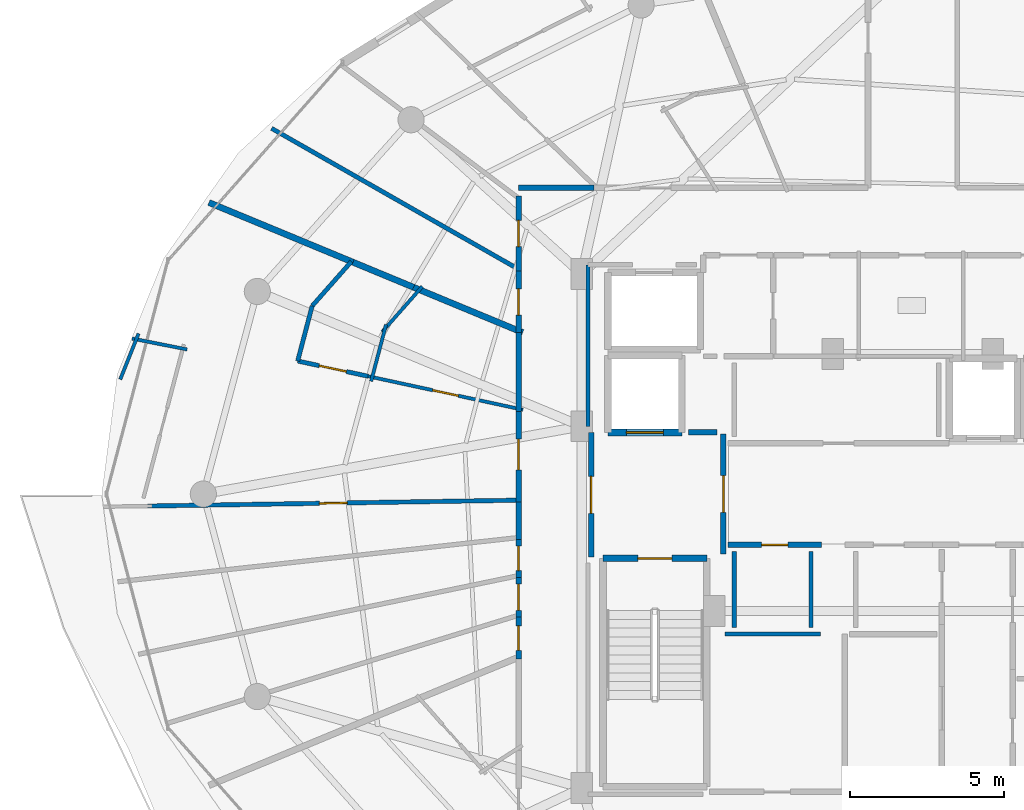
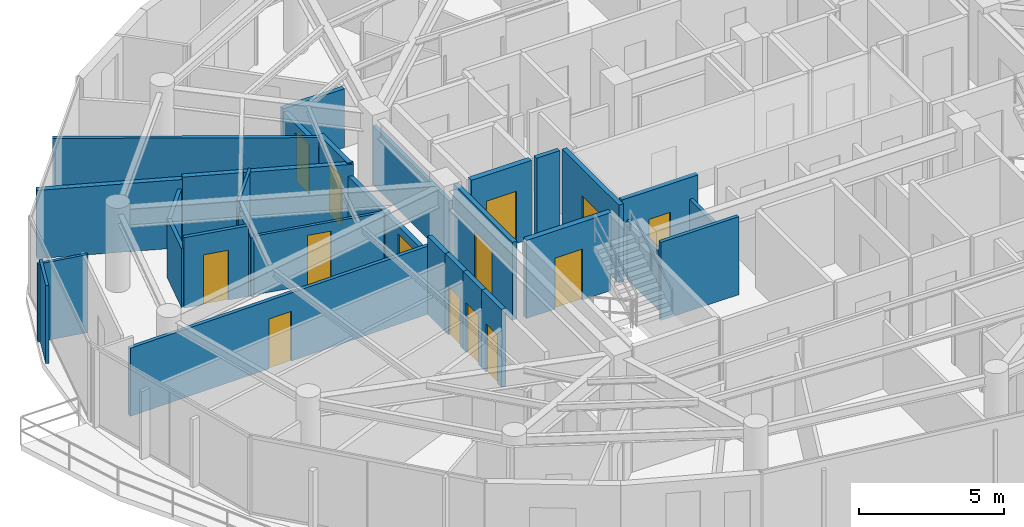
# One storey, part 23 of 30: 32 walls, 14 doors, 14 openings.
"""IFC4 building model written with IfcOpenShell, lengths in metres."""

from ifc_helpers import new_model, si_unit, direction, frame, frame_2d, origin, place, context, subcontext, project, spatial, rectangle, extrude, material, layer, layer_set, type_object, element, fill, save


model = new_model("IFC4")

# Units and contexts
model_context = context("Model", 3, precision=1e-05, world=origin(), true_north=direction((0.0, 1.0)))
body_context = subcontext(model_context, "Body", "Model", "MODEL_VIEW")
ifc_project = project(units=[si_unit("LENGTHUNIT", "METRE"), si_unit("AREAUNIT", "SQUARE_METRE"), si_unit("VOLUMEUNIT", "CUBIC_METRE"), si_unit("PLANEANGLEUNIT", "RADIAN"), si_unit("MASSUNIT", "GRAM", prefix="KILO")], contexts=[model_context])

# Site, building, storey
site_placement = place(None, origin())
site = spatial("IfcSite", under=ifc_project, at=site_placement, CompositionType="ELEMENT")
building_placement = place(site_placement, origin())
building = spatial("IfcBuilding", under=site, at=building_placement, Name="Vorneva Point Tower", CompositionType="ELEMENT")
storey_placement = place(building_placement, frame((0.0, 0.0, 252.0)))
storey = spatial("IfcBuildingStorey", under=building, at=storey_placement, Name="L68", CompositionType="ELEMENT", Elevation=252.0)

# Wall, opening, door
ifc_material_1 = material(Name="Concrete B60 (C50/60)", Category="concrete")
ifc_layer_1 = layer(ifc_material_1, 0.35009765625)
ifc_layer_set_1 = layer_set([ifc_layer_1], Name="Concrete B60 (C50/60)")
wall_type_1 = type_object("IfcWallType", Name="WL-CORE-350", PredefinedType="SHEAR", material=ifc_layer_set_1)
wall_1_placement = place(storey_placement, frame((28.10009765625, 28.0, 0.0), z_axis=(0.0, 0.0, 1.0), x_axis=(1.0, 0.0, 0.0)))
wall_1 = element("IfcWall", 1, at=wall_1_placement, inside=storey, type_object=wall_type_1, Name="L68 Lift FFL1 Shaft Wall -Y", PredefinedType="SHEAR", context=body_context, shape_type="SweptSolid", body=[
    extrude(rectangle(XDim=2.39990234375, YDim=0.219970703125, at=frame_2d((1.199951171875, 0.0))), origin(), (0.0, 0.0, 1.0), 3.2900390625),
])
opening_1_placement = place(wall_1_placement, frame((0.60009765625, 0.0, 0.0)))
opening_1 = element("IfcOpeningElement", 2, at=opening_1_placement, cuts=wall_1, Name="Opening LD-02", PredefinedType="OPENING", context=body_context, shape_type="SweptSolid", body=[
    extrude(rectangle(XDim=1.199951171875, YDim=2.199951171875, at=frame_2d((0.60009765625, 1.10009765625))), frame((0.0, 0.125, 0.0), z_axis=(0.0, -1.0, 0.0), x_axis=(1.0, 0.0, 0.0)), (0.0, 0.0, 1.0), 0.249755859375),
])
ifc_material_2 = material(Name="Brushed stainless steel S304", Category="steel")
door_type_1 = type_object("IfcDoorType", Name="LD-FIRE-1200", OperationType="SLIDING_TO_LEFT", PredefinedType="DOOR", material=ifc_material_2)
door_1_placement = place(opening_1_placement, origin())
door_1 = element("IfcDoor", 3, at=door_1_placement, inside=storey, type_object=door_type_1, Name="L68 Lift FFL1 Sliding Landing Door", OperationType="SLIDING_TO_LEFT", OverallHeight=2.199951171875, OverallWidth=1.199951171875, PredefinedType="DOOR", context=body_context, shape_type="SweptSolid", body=[
    extrude(rectangle(XDim=1.199951171875, YDim=2.199951171875, at=frame_2d((0.60009765625, 1.10009765625))), frame((0.0, 0.02490234375, 0.0), z_axis=(0.0, -1.0, 0.0), x_axis=(1.0, 0.0, 0.0)), (0.0, 0.0, 1.0), 0.050048828125),
])
fill(opening_1, door_1)

ifc_material_3 = material(Name="Fire-rated acoustic gypsum stud partition", Category="gypsum")
ifc_layer_2 = layer(ifc_material_3, 0.110107421875)
ifc_layer_set_2 = layer_set([ifc_layer_2], Name="Fire-rated acoustic gypsum stud partition")
wall_type_2 = type_object("IfcWallType", Name="WL-PART-110", PredefinedType="PARTITIONING", material=ifc_layer_set_2)
wall_2_placement = place(storey_placement, frame((25.3369140625, 28.73828125, 0.0), z_axis=(0.0, 0.0, 1.0), x_axis=(-0.977382932841, 0.211477191656, 0.0)))
wall_2 = element("IfcWall", 4, at=wall_2_placement, inside=storey, type_object=wall_type_2, Name="L68 Interior Partition 083", PredefinedType="PARTITIONING", context=body_context, shape_type="SweptSolid", body=[
    extrude(rectangle(XDim=5.151123046875, YDim=0.110107421875, at=frame_2d((2.57568359375, 0.0))), origin(), (0.0, 0.0, 1.0), 2.48193359375),
])
opening_2_placement = place(wall_2_placement, frame((2.150390625, 0.0, 0.0)))
opening_2 = element("IfcOpeningElement", 5, at=opening_2_placement, cuts=wall_2, Name="Opening ID-02", PredefinedType="OPENING", context=body_context, shape_type="SweptSolid", body=[
    extrude(rectangle(XDim=0.85009765625, YDim=2.10009765625, at=frame_2d((0.425048828125, 1.050048828125))), frame((0.0, 0.06982421875, 0.0), z_axis=(0.0, -1.0, 0.0), x_axis=(1.0, 0.0, 0.0)), (0.0, 0.0, 1.0), 0.139892578125),
])
ifc_material_4 = material(Name="Engineered oak fire-rated door leaf", Category="wood")
door_type_2 = type_object("IfcDoorType", Name="DR-BATH-850", OperationType="NOTDEFINED", PredefinedType="DOOR", material=ifc_material_4)
door_2_placement = place(opening_2_placement, origin())
door_2 = element("IfcDoor", 6, at=door_2_placement, inside=storey, type_object=door_type_2, Name="L68 Door Living and Dining Room L68-02 / Bathroom L68-02", OperationType="SINGLE_SWING_RIGHT", OverallHeight=2.10009765625, OverallWidth=0.85009765625, PredefinedType="DOOR", context=body_context, shape_type="SweptSolid", body=[
    extrude(rectangle(XDim=0.85009765625, YDim=2.10009765625, at=frame_2d((0.425048828125, 1.050048828125))), frame((0.0, 0.02490234375, 0.0), z_axis=(0.0, -1.0, 0.0), x_axis=(1.0, 0.0, 0.0)), (0.0, 0.0, 1.0), 0.050048828125),
])
fill(opening_2, door_2)

# Walls
wall_3_placement = place(storey_placement, frame((12.845947265625, 31.212890625, 0.0), z_axis=(0.0, 0.0, 1.0), x_axis=(-0.371522095559, -0.928424112414, 0.0)))
element("IfcWall", 7, at=wall_3_placement, inside=storey, type_object=wall_type_2, Name="L68 Interior Partition 084", PredefinedType="PARTITIONING", context=body_context, shape_type="SweptSolid", body=[
    extrude(rectangle(XDim=1.6015625, YDim=0.110107421875, at=frame_2d((0.80078125, 0.0))), origin(), (0.0, 0.0, 1.0), 3.2900390625),
])
wall_4_placement = place(storey_placement, frame((12.634765625, 31.053466796875, 0.0), z_axis=(0.0, 0.0, 1.0), x_axis=(0.980704252003, -0.195497238094, 0.0)))
element("IfcWall", 8, at=wall_4_placement, inside=storey, type_object=wall_type_2, Name="L68 Interior Partition 085", PredefinedType="PARTITIONING", context=body_context, shape_type="SweptSolid", body=[
    extrude(rectangle(XDim=1.82080078125, YDim=0.110107421875, at=frame_2d((0.910400390625, 0.0))), origin(), (0.0, 0.0, 1.0), 3.2900390625),
])
wall_5_placement = place(storey_placement, frame((22.065673828125, 32.743896484375, 0.0), z_axis=(0.0, 0.0, 1.0), x_axis=(-0.662047420969, -0.749461948593, 0.0)))
element("IfcWall", 9, at=wall_5_placement, inside=storey, type_object=wall_type_2, Name="L68 Interior Partition 091", PredefinedType="PARTITIONING", context=body_context, shape_type="SweptSolid", body=[
    extrude(rectangle(XDim=1.9716796875, YDim=0.110107421875, at=frame_2d((0.98583984375, 0.0))), origin(), (0.0, 0.0, 1.0), 2.971923828125),
])
wall_6_placement = place(storey_placement, frame((20.888671875, 31.50634765625, 0.0), z_axis=(0.0, 0.0, 1.0), x_axis=(-0.254568935897, -0.967054629727, 0.0)))
element("IfcWall", 10, at=wall_6_placement, inside=storey, type_object=wall_type_2, Name="L68 Interior Partition 092", PredefinedType="PARTITIONING", context=body_context, shape_type="SweptSolid", body=[
    extrude(rectangle(XDim=1.906494140625, YDim=0.110107421875, at=frame_2d((0.953125, 0.0))), origin(), (0.0, 0.0, 1.0), 2.48193359375),
])
ifc_layer_3 = layer(ifc_material_3, 0.139892578125)
ifc_layer_set_3 = layer_set([ifc_layer_3], Name="Fire-rated acoustic gypsum stud partition")
wall_type_3 = type_object("IfcWallType", Name="WL-PART-140", PredefinedType="PARTITIONING", material=ifc_layer_set_3)
wall_7_placement = place(storey_placement, frame((35.0048828125, 21.449951171875, 0.0), z_axis=(0.0, 0.0, 1.0), x_axis=(-1.0, 0.0, 0.0)))
element("IfcWall", 11, at=wall_7_placement, inside=storey, type_object=wall_type_3, Name="L68 Interior Partition 031", PredefinedType="PARTITIONING", context=body_context, shape_type="SweptSolid", body=[
    extrude(rectangle(XDim=3.10986328125, YDim=0.139892578125, at=frame_2d((1.554931640625, 0.0))), origin(), (0.0, 0.0, 1.0), 3.2900390625),
])
wall_8_placement = place(storey_placement, frame((17.169921875, 37.881103515625, 0.0), z_axis=(0.0, 0.0, 1.0), x_axis=(0.868639415668, -0.495444815844, 0.0)))
element("IfcWall", 12, at=wall_8_placement, inside=storey, type_object=wall_type_3, Name="L68 Interior Partition 079", PredefinedType="PARTITIONING", context=body_context, shape_type="SweptSolid", body=[
    extrude(rectangle(XDim=9.244384765625, YDim=0.139892578125, at=frame_2d((4.6220703125, 0.0))), origin(), (0.0, 0.0, 1.0), 2.8740234375),
])

# Wall, opening, door
wall_9_placement = place(storey_placement, frame((20.30224609375, 29.82763671875, 0.0), z_axis=(0.0, 0.0, 1.0), x_axis=(-0.977387924942, 0.211454118377, 0.0)))
wall_9 = element("IfcWall", 13, at=wall_9_placement, inside=storey, type_object=wall_type_3, Name="L68 Interior Partition 087", PredefinedType="PARTITIONING", context=body_context, shape_type="SweptSolid", body=[
    extrude(rectangle(XDim=2.338134765625, YDim=0.139892578125, at=frame_2d((1.1689453125, 0.0))), origin(), (0.0, 0.0, 1.0), 2.971923828125),
])
opening_3_placement = place(wall_9_placement, frame((0.718994140625, 0.0, 0.0)))
opening_3 = element("IfcOpeningElement", 14, at=opening_3_placement, cuts=wall_9, Name="Opening ID-01", PredefinedType="OPENING", context=body_context, shape_type="SweptSolid", body=[
    extrude(rectangle(XDim=0.89990234375, YDim=2.10009765625, at=frame_2d((0.449951171875, 1.050048828125))), frame((0.0, 0.0849609375, 0.0), z_axis=(0.0, -1.0, 0.0), x_axis=(1.0, 0.0, 0.0)), (0.0, 0.0, 1.0), 0.169677734375),
])
door_type_3 = type_object("IfcDoorType", Name="DR-ROOM-900", OperationType="NOTDEFINED", PredefinedType="DOOR", material=ifc_material_4)
door_3_placement = place(opening_3_placement, origin())
door_3 = element("IfcDoor", 15, at=door_3_placement, inside=storey, type_object=door_type_3, Name="L68 Door Living and Dining Room L68-02 / Study Room L68-02", OperationType="SINGLE_SWING_RIGHT", OverallHeight=2.10009765625, OverallWidth=0.89990234375, PredefinedType="DOOR", context=body_context, shape_type="SweptSolid", body=[
    extrude(rectangle(XDim=0.89990234375, YDim=2.10009765625, at=frame_2d((0.449951171875, 1.050048828125))), frame((0.0, 0.02490234375, 0.0), z_axis=(0.0, -1.0, 0.0), x_axis=(1.0, 0.0, 0.0)), (0.0, 0.0, 1.0), 0.050048828125),
])
fill(opening_3, door_3)

# Walls
wall_10_placement = place(storey_placement, frame((18.01708984375, 30.322021484375, 0.0), z_axis=(0.0, 0.0, 1.0), x_axis=(0.254434866485, 0.967089912426, 0.0)))
element("IfcWall", 16, at=wall_10_placement, inside=storey, type_object=wall_type_3, Name="L68 Interior Partition 088", PredefinedType="PARTITIONING", context=body_context, shape_type="SweptSolid", body=[
    extrude(rectangle(XDim=1.85107421875, YDim=0.139892578125, at=frame_2d((0.925537109375, 0.0))), origin(), (0.0, 0.0, 1.0), 2.48193359375),
])
wall_11_placement = place(storey_placement, frame((18.488037109375, 32.112060546875, 0.0), z_axis=(0.0, 0.0, 1.0), x_axis=(0.661856531983, 0.749630529709, 0.0)))
element("IfcWall", 17, at=wall_11_placement, inside=storey, type_object=wall_type_3, Name="L68 Interior Partition 089", PredefinedType="PARTITIONING", context=body_context, shape_type="SweptSolid", body=[
    extrude(rectangle(XDim=1.9248046875, YDim=0.139892578125, at=frame_2d((0.96240234375, 0.0))), origin(), (0.0, 0.0, 1.0), 2.48193359375),
])

# Wall, opening, door
wall_12_placement = place(storey_placement, frame((13.14306640625, 25.60888671875, 0.0), z_axis=(0.0, 0.0, 1.0), x_axis=(0.999875613351, 0.015772058374, 0.0)))
wall_12 = element("IfcWall", 18, at=wall_12_placement, inside=storey, type_object=wall_type_3, Name="L68 Interior Partition 090", PredefinedType="PARTITIONING", context=body_context, shape_type="SweptSolid", body=[
    extrude(rectangle(XDim=12.058349609375, YDim=0.139892578125, at=frame_2d((6.029296875, 0.0))), origin(), (0.0, 0.0, 1.0), 2.8740234375),
])
opening_4_placement = place(wall_12_placement, frame((5.5791015625, 0.0, 0.0)))
opening_4 = element("IfcOpeningElement", 19, at=opening_4_placement, cuts=wall_12, Name="Opening ID-01", PredefinedType="OPENING", context=body_context, shape_type="SweptSolid", body=[
    extrude(rectangle(XDim=0.89990234375, YDim=2.10009765625, at=frame_2d((0.449951171875, 1.050048828125))), frame((0.0, 0.0849609375, 0.0), z_axis=(0.0, -1.0, 0.0), x_axis=(1.0, 0.0, 0.0)), (0.0, 0.0, 1.0), 0.169677734375),
])
door_4_placement = place(opening_4_placement, origin())
door_4 = element("IfcDoor", 20, at=door_4_placement, inside=storey, type_object=door_type_3, Name="L68 Door Living and Dining Room L68-02 / Master Bedroom L68-02.1", OperationType="SINGLE_SWING_LEFT", OverallHeight=2.10009765625, OverallWidth=0.89990234375, PredefinedType="DOOR", context=body_context, shape_type="SweptSolid", body=[
    extrude(rectangle(XDim=0.89990234375, YDim=2.10009765625, at=frame_2d((0.449951171875, 1.050048828125))), frame((0.0, 0.02490234375, 0.0), z_axis=(0.0, -1.0, 0.0), x_axis=(1.0, 0.0, 0.0)), (0.0, 0.0, 1.0), 0.050048828125),
])
fill(opening_4, door_4)

# Walls
for number, where, z_axis, x_axis, name in (
    (21, (32.199951171875, 24.1298828125, 0.0), (0.0, 0.0, 1.0), (0.0, -1.0, 0.0), "L68 Interior Closure Partition 132"),
    (22, (34.699951171875, 21.669921875, 0.0), (0.0, 0.0, 1.0), (0.0, 1.0, 0.0), "L68 Interior Closure Partition 133"),
):
    element("IfcWall", number, at=place(storey_placement, frame(where, z_axis=z_axis, x_axis=x_axis)), inside=storey, type_object=wall_type_3, Name=name, PredefinedType="PARTITIONING", context=body_context, shape_type="SweptSolid", body=[
        extrude(rectangle(XDim=2.4599609375, YDim=0.139892578125, at=frame_2d((1.22998046875, 0.0))), origin(), (0.0, 0.0, 1.0), 2.48193359375),
    ])
wall_13_placement = place(storey_placement, frame((27.449951171875, 33.449951171875, 0.0), z_axis=(0.0, 0.0, 1.0), x_axis=(0.0, -1.0, 0.0)))
element("IfcWall", 23, at=wall_13_placement, inside=storey, type_object=wall_type_3, Name="L68 Interior Closure Partition 146", PredefinedType="PARTITIONING", context=body_context, shape_type="SweptSolid", body=[
    extrude(rectangle(XDim=5.25390625, YDim=0.139892578125, at=frame_2d((2.626953125, 0.0))), origin(), (0.0, 0.0, 1.0), 2.48193359375),
])

# Wall, opening, door
ifc_material_5 = material(Name="Autoclaved aerated concrete blockwork", Category="masonry")
ifc_layer_4 = layer(ifc_material_5, 0.179931640625)
ifc_layer_set_4 = layer_set([ifc_layer_4], Name="Autoclaved aerated concrete blockwork")
wall_type_4 = type_object("IfcWallType", Name="WL-PART-180", PredefinedType="PARTITIONING", material=ifc_layer_set_4)
wall_14_placement = place(storey_placement, frame((31.85009765625, 24.044921875, 0.0), z_axis=(0.0, 0.0, 1.0), x_axis=(0.0, 1.0, 0.0)))
wall_14 = element("IfcWall", 24, at=wall_14_placement, inside=storey, type_object=wall_type_4, Name="L68 Interior Partition 001", PredefinedType="PARTITIONING", context=body_context, shape_type="SweptSolid", body=[
    extrude(rectangle(XDim=3.91015625, YDim=0.179931640625, at=frame_2d((1.955078125, 0.0))), origin(), (0.0, 0.0, 1.0), 3.2900390625),
])
opening_5_placement = place(wall_14_placement, frame((1.35498046875, 0.0, 0.0)))
opening_5 = element("IfcOpeningElement", 25, at=opening_5_placement, cuts=wall_14, Name="Opening FD-02", PredefinedType="OPENING", context=body_context, shape_type="SweptSolid", body=[
    extrude(rectangle(XDim=1.199951171875, YDim=2.14990234375, at=frame_2d((0.60009765625, 1.074951171875))), frame((0.0, 0.10498046875, 0.0), z_axis=(0.0, -1.0, 0.0), x_axis=(1.0, 0.0, 0.0)), (0.0, 0.0, 1.0), 0.209716796875),
])
ifc_material_6 = material(Name="Fire-rated powder-coated steel", Category="steel")
door_type_4 = type_object("IfcDoorType", Name="DR-FFL-1200", OperationType="NOTDEFINED", PredefinedType="DOOR", material=ifc_material_6)
door_5_placement = place(opening_5_placement, origin())
door_5 = element("IfcDoor", 26, at=door_5_placement, inside=storey, type_object=door_type_4, Name="L68 Door West Firefighting Lobby / Central Lift Lobby", OperationType="SINGLE_SWING_LEFT", OverallHeight=2.14990234375, OverallWidth=1.199951171875, PredefinedType="DOOR", context=body_context, shape_type="SweptSolid", body=[
    extrude(rectangle(XDim=1.199951171875, YDim=2.14990234375, at=frame_2d((0.60009765625, 1.074951171875))), frame((0.0, 0.02490234375, 0.0), z_axis=(0.0, -1.0, 0.0), x_axis=(1.0, 0.0, 0.0)), (0.0, 0.0, 1.0), 0.050048828125),
])
fill(opening_5, door_5)

wall_15_placement = place(storey_placement, frame((27.550048828125, 28.0, 0.0), z_axis=(0.0, 0.0, 1.0), x_axis=(0.0, -1.0, 0.0)))
wall_15 = element("IfcWall", 27, at=wall_15_placement, inside=storey, type_object=wall_type_4, Name="L68 Interior Partition 002", PredefinedType="PARTITIONING", context=body_context, shape_type="SweptSolid", body=[
    extrude(rectangle(XDim=4.050048828125, YDim=0.179931640625, at=frame_2d((2.02490234375, 0.0))), origin(), (0.0, 0.0, 1.0), 3.2900390625),
])
opening_6_placement = place(wall_15_placement, frame((1.425048828125, 0.0, 0.0)))
opening_6 = element("IfcOpeningElement", 28, at=opening_6_placement, cuts=wall_15, Name="Opening FD-02", PredefinedType="OPENING", context=body_context, shape_type="SweptSolid", body=[
    extrude(rectangle(XDim=1.199951171875, YDim=2.14990234375, at=frame_2d((0.60009765625, 1.074951171875))), frame((0.0, 0.10498046875, 0.0), z_axis=(0.0, -1.0, 0.0), x_axis=(1.0, 0.0, 0.0)), (0.0, 0.0, 1.0), 0.209716796875),
])
door_6_placement = place(opening_6_placement, origin())
door_6 = element("IfcDoor", 29, at=door_6_placement, inside=storey, type_object=door_type_4, Name="L68 Door West Firefighting Lobby / L68 Circulation Corridor", OperationType="SINGLE_SWING_RIGHT", OverallHeight=2.14990234375, OverallWidth=1.199951171875, PredefinedType="DOOR", context=body_context, shape_type="SweptSolid", body=[
    extrude(rectangle(XDim=1.199951171875, YDim=2.14990234375, at=frame_2d((0.60009765625, 1.074951171875))), frame((0.0, 0.02490234375, 0.0), z_axis=(0.0, -1.0, 0.0), x_axis=(1.0, 0.0, 0.0)), (0.0, 0.0, 1.0), 0.050048828125),
])
fill(opening_6, door_6)

wall_16_placement = place(storey_placement, frame((32.0, 24.35009765625, 0.0), z_axis=(0.0, 0.0, 1.0), x_axis=(1.0, 0.0, 0.0)))
wall_16 = element("IfcWall", 30, at=wall_16_placement, inside=storey, type_object=wall_type_4, Name="L68 Interior Partition 013", PredefinedType="PARTITIONING", context=body_context, shape_type="SweptSolid", body=[
    extrude(rectangle(XDim=3.0400390625, YDim=0.179931640625, at=frame_2d((1.52001953125, 0.0))), origin(), (0.0, 0.0, 1.0), 3.2900390625),
])
opening_7_placement = place(wall_16_placement, frame((1.094970703125, 0.0, 0.0)))
opening_7 = element("IfcOpeningElement", 31, at=opening_7_placement, cuts=wall_16, Name="Opening ID-02", PredefinedType="OPENING", context=body_context, shape_type="SweptSolid", body=[
    extrude(rectangle(XDim=0.85009765625, YDim=2.10009765625, at=frame_2d((0.425048828125, 1.050048828125))), frame((0.0, 0.10498046875, 0.0), z_axis=(0.0, -1.0, 0.0), x_axis=(1.0, 0.0, 0.0)), (0.0, 0.0, 1.0), 0.209716796875),
])
door_7_placement = place(opening_7_placement, origin())
door_7 = element("IfcDoor", 32, at=door_7_placement, inside=storey, type_object=door_type_2, Name="L68 Door Central Lift Lobby / Reclaimed High-Zone Valet Room", OperationType="SINGLE_SWING_RIGHT", OverallHeight=2.10009765625, OverallWidth=0.85009765625, PredefinedType="DOOR", context=body_context, shape_type="SweptSolid", body=[
    extrude(rectangle(XDim=0.85009765625, YDim=2.10009765625, at=frame_2d((0.425048828125, 1.050048828125))), frame((0.0, 0.02490234375, 0.0), z_axis=(0.0, -1.0, 0.0), x_axis=(1.0, 0.0, 0.0)), (0.0, 0.0, 1.0), 0.050048828125),
])
fill(opening_7, door_7)

# Wall
wall_17_placement = place(storey_placement, frame((27.64599609375, 35.949951171875, 0.0), z_axis=(0.0, 0.0, 1.0), x_axis=(-1.0, 0.0, 0.0)))
element("IfcWall", 33, at=wall_17_placement, inside=storey, type_object=wall_type_4, Name="L68 Interior Partition 037", PredefinedType="PARTITIONING", context=body_context, shape_type="SweptSolid", body=[
    extrude(rectangle(XDim=2.446044921875, YDim=0.179931640625, at=frame_2d((1.22314453125, 0.0))), origin(), (0.0, 0.0, 1.0), 2.48193359375),
])

# Wall, opening, door
wall_18_placement = place(storey_placement, frame((25.199951171875, 35.68603515625, 0.0), z_axis=(0.0, 0.0, 1.0), x_axis=(0.0, -1.0, 0.0)))
wall_18 = element("IfcWall", 34, at=wall_18_placement, inside=storey, type_object=wall_type_4, Name="L68 Interior Partition 038", PredefinedType="PARTITIONING", context=body_context, shape_type="SweptSolid", body=[
    extrude(rectangle(XDim=2.445068359375, YDim=0.179931640625, at=frame_2d((1.22265625, 0.0))), origin(), (0.0, 0.0, 1.0), 2.48193359375),
])
opening_8_placement = place(wall_18_placement, frame((0.797607421875, 0.0, 0.0)))
opening_8 = element("IfcOpeningElement", 35, at=opening_8_placement, cuts=wall_18, Name="Opening ID-02", PredefinedType="OPENING", context=body_context, shape_type="SweptSolid", body=[
    extrude(rectangle(XDim=0.85009765625, YDim=2.10009765625, at=frame_2d((0.425048828125, 1.050048828125))), frame((0.0, 0.10498046875, 0.0), z_axis=(0.0, -1.0, 0.0), x_axis=(1.0, 0.0, 0.0)), (0.0, 0.0, 1.0), 0.209716796875),
])
door_8_placement = place(opening_8_placement, origin())
door_8 = element("IfcDoor", 36, at=door_8_placement, inside=storey, type_object=door_type_2, Name="L68 Access Door L68 Circulation Corridor", OperationType="SINGLE_SWING_LEFT", OverallHeight=2.10009765625, OverallWidth=0.85009765625, PredefinedType="DOOR", context=body_context, shape_type="SweptSolid", body=[
    extrude(rectangle(XDim=0.85009765625, YDim=2.10009765625, at=frame_2d((0.425048828125, 1.050048828125))), frame((0.0, 0.02490234375, 0.0), z_axis=(0.0, -1.0, 0.0), x_axis=(1.0, 0.0, 0.0)), (0.0, 0.0, 1.0), 0.050048828125),
])
fill(opening_8, door_8)

wall_19_placement = place(storey_placement, frame((25.199951171875, 33.240966796875, 0.0), z_axis=(0.0, 0.0, 1.0), x_axis=(0.0, -1.0, 0.0)))
wall_19 = element("IfcWall", 37, at=wall_19_placement, inside=storey, type_object=wall_type_4, Name="L68 Interior Partition 039", PredefinedType="PARTITIONING", context=body_context, shape_type="SweptSolid", body=[
    extrude(rectangle(XDim=1.9990234375, YDim=0.179931640625, at=frame_2d((0.99951171875, 0.0))), origin(), (0.0, 0.0, 1.0), 3.02197265625),
])
opening_9_placement = place(wall_19_placement, frame((0.574462890625, 0.0, 0.0)))
opening_9 = element("IfcOpeningElement", 38, at=opening_9_placement, cuts=wall_19, Name="Opening ID-02", PredefinedType="OPENING", context=body_context, shape_type="SweptSolid", body=[
    extrude(rectangle(XDim=0.85009765625, YDim=2.10009765625, at=frame_2d((0.425048828125, 1.050048828125))), frame((0.0, 0.10498046875, 0.0), z_axis=(0.0, -1.0, 0.0), x_axis=(1.0, 0.0, 0.0)), (0.0, 0.0, 1.0), 0.209716796875),
])
door_9_placement = place(opening_9_placement, origin())
door_9 = element("IfcDoor", 39, at=door_9_placement, inside=storey, type_object=door_type_2, Name="L68 Access Door L68 Circulation Corridor", OperationType="SINGLE_SWING_RIGHT", OverallHeight=2.10009765625, OverallWidth=0.85009765625, PredefinedType="DOOR", context=body_context, shape_type="SweptSolid", body=[
    extrude(rectangle(XDim=0.85009765625, YDim=2.10009765625, at=frame_2d((0.425048828125, 1.050048828125))), frame((0.0, 0.02490234375, 0.0), z_axis=(0.0, -1.0, 0.0), x_axis=(1.0, 0.0, 0.0)), (0.0, 0.0, 1.0), 0.050048828125),
])
fill(opening_9, door_9)

wall_20_placement = place(storey_placement, frame((25.199951171875, 28.8291015625, 0.0), z_axis=(0.0, 0.0, 1.0), x_axis=(0.0, -1.0, 0.0)))
wall_20 = element("IfcWall", 40, at=wall_20_placement, inside=storey, type_object=wall_type_4, Name="L68 Interior Partition 040", PredefinedType="PARTITIONING", context=body_context, shape_type="SweptSolid", body=[
    extrude(rectangle(XDim=3.090087890625, YDim=0.179931640625, at=frame_2d((1.544921875, 0.0))), origin(), (0.0, 0.0, 1.0), 2.48193359375),
])
opening_10_placement = place(wall_20_placement, frame((1.044921875, 0.0, 0.0)))
opening_10 = element("IfcOpeningElement", 41, at=opening_10_placement, cuts=wall_20, Name="Opening UD-01", PredefinedType="OPENING", context=body_context, shape_type="SweptSolid", body=[
    extrude(rectangle(XDim=1.0, YDim=2.14990234375, at=frame_2d((0.5, 1.074951171875))), frame((0.0, 0.10498046875, 0.0), z_axis=(0.0, -1.0, 0.0), x_axis=(1.0, 0.0, 0.0)), (0.0, 0.0, 1.0), 0.209716796875),
])
door_type_5 = type_object("IfcDoorType", Name="DR-UNIT-1000", OperationType="NOTDEFINED", PredefinedType="DOOR", material=ifc_material_4)
door_10_placement = place(opening_10_placement, origin())
door_10 = element("IfcDoor", 42, at=door_10_placement, inside=storey, type_object=door_type_5, Name="L68 Door L68 Circulation Corridor / Living and Dining Room L68-02", OperationType="SINGLE_SWING_RIGHT", OverallHeight=2.14990234375, OverallWidth=1.0, PredefinedType="DOOR", context=body_context, shape_type="SweptSolid", body=[
    extrude(rectangle(XDim=1.0, YDim=2.14990234375, at=frame_2d((0.5, 1.074951171875))), frame((0.0, 0.02490234375, 0.0), z_axis=(0.0, -1.0, 0.0), x_axis=(1.0, 0.0, 0.0)), (0.0, 0.0, 1.0), 0.050048828125),
])
fill(opening_10, door_10)

# Walls
wall_21_placement = place(storey_placement, frame((25.199951171875, 31.382080078125, 0.0), z_axis=(0.0, 0.0, 1.0), x_axis=(0.0, -1.0, 0.0)))
element("IfcWall", 43, at=wall_21_placement, inside=storey, type_object=wall_type_4, Name="L68 Interior Partition 041", PredefinedType="PARTITIONING", context=body_context, shape_type="SweptSolid", body=[
    extrude(rectangle(XDim=2.693115234375, YDim=0.179931640625, at=frame_2d((1.3466796875, 0.0))), origin(), (0.0, 0.0, 1.0), 2.48193359375),
])
wall_22_placement = place(storey_placement, frame((25.199951171875, 25.739013671875, 0.0), z_axis=(0.0, 0.0, 1.0), x_axis=(0.0, -1.0, 0.0)))
element("IfcWall", 44, at=wall_22_placement, inside=storey, type_object=wall_type_4, Name="L68 Interior Partition 042", PredefinedType="PARTITIONING", context=body_context, shape_type="SweptSolid", body=[
    extrude(rectangle(XDim=1.2119140625, YDim=0.179931640625, at=frame_2d((0.60595703125, 0.0))), origin(), (0.0, 0.0, 1.0), 3.2900390625),
])

# Wall, opening, door
wall_23_placement = place(storey_placement, frame((25.199951171875, 24.527099609375, 0.0), z_axis=(0.0, 0.0, 1.0), x_axis=(0.0, -1.0, 0.0)))
wall_23 = element("IfcWall", 45, at=wall_23_placement, inside=storey, type_object=wall_type_4, Name="L68 Interior Partition 043", PredefinedType="PARTITIONING", context=body_context, shape_type="SweptSolid", body=[
    extrude(rectangle(XDim=1.239013671875, YDim=0.179931640625, at=frame_2d((0.61962890625, 0.0))), origin(), (0.0, 0.0, 1.0), 3.2900390625),
])
opening_11_placement = place(wall_23_placement, frame((0.219482421875, 0.0, 0.0)))
opening_11 = element("IfcOpeningElement", 46, at=opening_11_placement, cuts=wall_23, Name="Opening RD-01", PredefinedType="OPENING", context=body_context, shape_type="SweptSolid", body=[
    extrude(rectangle(XDim=0.800048828125, YDim=2.050048828125, at=frame_2d((0.39990234375, 1.02490234375))), frame((0.0, 0.10498046875, 0.0), z_axis=(0.0, -1.0, 0.0), x_axis=(1.0, 0.0, 0.0)), (0.0, 0.0, 1.0), 0.209716796875),
])
door_type_6 = type_object("IfcDoorType", Name="DR-RSR-800", OperationType="SINGLE_SWING_LEFT", PredefinedType="DOOR", material=ifc_material_6)
door_11_placement = place(opening_11_placement, origin())
door_11 = element("IfcDoor", 47, at=door_11_placement, inside=storey, type_object=door_type_6, Name="L68 Access Door L68 Circulation Corridor", OperationType="SINGLE_SWING_RIGHT", OverallHeight=2.050048828125, OverallWidth=0.800048828125, PredefinedType="DOOR", context=body_context, shape_type="SweptSolid", body=[
    extrude(rectangle(XDim=0.800048828125, YDim=2.050048828125, at=frame_2d((0.39990234375, 1.02490234375))), frame((0.0, 0.02490234375, 0.0), z_axis=(0.0, -1.0, 0.0), x_axis=(1.0, 0.0, 0.0)), (0.0, 0.0, 1.0), 0.050048828125),
])
fill(opening_11, door_11)

wall_24_placement = place(storey_placement, frame((25.199951171875, 23.2880859375, 0.0), z_axis=(0.0, 0.0, 1.0), x_axis=(0.0, -1.0, 0.0)))
wall_24 = element("IfcWall", 48, at=wall_24_placement, inside=storey, type_object=wall_type_4, Name="L68 Interior Partition 044", PredefinedType="PARTITIONING", context=body_context, shape_type="SweptSolid", body=[
    extrude(rectangle(XDim=1.2890625, YDim=0.179931640625, at=frame_2d((0.64453125, 0.0))), origin(), (0.0, 0.0, 1.0), 3.2900390625),
])
opening_12_placement = place(wall_24_placement, frame((0.219482421875, 0.0, 0.0)))
opening_12 = element("IfcOpeningElement", 49, at=opening_12_placement, cuts=wall_24, Name="Opening ID-02", PredefinedType="OPENING", context=body_context, shape_type="SweptSolid", body=[
    extrude(rectangle(XDim=0.85009765625, YDim=2.10009765625, at=frame_2d((0.425048828125, 1.050048828125))), frame((0.0, 0.10498046875, 0.0), z_axis=(0.0, -1.0, 0.0), x_axis=(1.0, 0.0, 0.0)), (0.0, 0.0, 1.0), 0.209716796875),
])
door_12_placement = place(opening_12_placement, origin())
door_12 = element("IfcDoor", 50, at=door_12_placement, inside=storey, type_object=door_type_2, Name="L68 Access Door L68 Circulation Corridor", OperationType="SINGLE_SWING_LEFT", OverallHeight=2.10009765625, OverallWidth=0.85009765625, PredefinedType="DOOR", context=body_context, shape_type="SweptSolid", body=[
    extrude(rectangle(XDim=0.85009765625, YDim=2.10009765625, at=frame_2d((0.425048828125, 1.050048828125))), frame((0.0, 0.02490234375, 0.0), z_axis=(0.0, -1.0, 0.0), x_axis=(1.0, 0.0, 0.0)), (0.0, 0.0, 1.0), 0.050048828125),
])
fill(opening_12, door_12)

wall_25_placement = place(storey_placement, frame((25.199951171875, 21.9990234375, 0.0), z_axis=(0.0, 0.0, 1.0), x_axis=(0.0, -1.0, 0.0)))
wall_25 = element("IfcWall", 51, at=wall_25_placement, inside=storey, type_object=wall_type_4, Name="L68 Interior Partition 045", PredefinedType="PARTITIONING", context=body_context, shape_type="SweptSolid", body=[
    extrude(rectangle(XDim=1.365966796875, YDim=0.179931640625, at=frame_2d((0.68310546875, 0.0))), origin(), (0.0, 0.0, 1.0), 3.2900390625),
])
opening_13_placement = place(wall_25_placement, frame((0.282958984375, 0.0, 0.0)))
opening_13 = element("IfcOpeningElement", 52, at=opening_13_placement, cuts=wall_25, Name="Opening RD-01", PredefinedType="OPENING", context=body_context, shape_type="SweptSolid", body=[
    extrude(rectangle(XDim=0.800048828125, YDim=2.050048828125, at=frame_2d((0.39990234375, 1.02490234375))), frame((0.0, 0.10498046875, 0.0), z_axis=(0.0, -1.0, 0.0), x_axis=(1.0, 0.0, 0.0)), (0.0, 0.0, 1.0), 0.209716796875),
])
door_13_placement = place(opening_13_placement, origin())
door_13 = element("IfcDoor", 53, at=door_13_placement, inside=storey, type_object=door_type_6, Name="L68 Access Door L68 Circulation Corridor", OperationType="SINGLE_SWING_LEFT", OverallHeight=2.050048828125, OverallWidth=0.800048828125, PredefinedType="DOOR", context=body_context, shape_type="SweptSolid", body=[
    extrude(rectangle(XDim=0.800048828125, YDim=2.050048828125, at=frame_2d((0.39990234375, 1.02490234375))), frame((0.0, 0.02490234375, 0.0), z_axis=(0.0, -1.0, 0.0), x_axis=(1.0, 0.0, 0.0)), (0.0, 0.0, 1.0), 0.050048828125),
])
fill(opening_13, door_13)

# Walls
wall_26_placement = place(storey_placement, frame((31.635009765625, 28.0, 0.0), z_axis=(0.0, 0.0, 1.0), x_axis=(-1.0, 0.0, 0.0)))
element("IfcWall", 54, at=wall_26_placement, inside=storey, type_object=wall_type_4, Name="L68 Interior Closure Partition 125", PredefinedType="PARTITIONING", context=body_context, shape_type="SweptSolid", body=[
    extrude(rectangle(XDim=0.9150390625, YDim=0.179931640625, at=frame_2d((0.45751953125, 0.0))), origin(), (0.0, 0.0, 1.0), 3.2900390625),
])
ifc_layer_5 = layer(ifc_material_5, 0.199951171875)
ifc_layer_set_5 = layer_set([ifc_layer_5], Name="Autoclaved aerated concrete blockwork")
wall_type_5 = type_object("IfcWallType", Name="WL-PART-200", PredefinedType="PARTITIONING", material=ifc_layer_set_5)
wall_27_placement = place(storey_placement, frame((15.133056640625, 35.471923828125, 0.0), z_axis=(0.0, 0.0, 1.0), x_axis=(0.923891232285, -0.382655185392, 0.0)))
element("IfcWall", 55, at=wall_27_placement, inside=storey, type_object=wall_type_5, Name="L68 Interior Partition 080", PredefinedType="PARTITIONING", context=body_context, shape_type="SweptSolid", body=[
    extrude(rectangle(XDim=5.069580078125, YDim=0.199951171875, at=frame_2d((2.53466796875, 0.0))), origin(), (0.0, 0.0, 1.0), 2.8740234375),
])
wall_28_placement = place(storey_placement, frame((21.78466796875, 32.716552734375, 0.0), z_axis=(0.0, 0.0, 1.0), x_axis=(0.923878783617, -0.382685240352, 0.0)))
element("IfcWall", 56, at=wall_28_placement, inside=storey, type_object=wall_type_5, Name="L68 Interior Partition 081", PredefinedType="PARTITIONING", context=body_context, shape_type="SweptSolid", body=[
    extrude(rectangle(XDim=3.836669921875, YDim=0.199951171875, at=frame_2d((1.91845703125, 0.0))), origin(), (0.0, 0.0, 1.0), 2.971923828125),
])
wall_29_placement = place(storey_placement, frame((19.81689453125, 33.53173828125, 0.0), z_axis=(0.0, 0.0, 1.0), x_axis=(0.92391905869, -0.382587993786, 0.0)))
element("IfcWall", 57, at=wall_29_placement, inside=storey, type_object=wall_type_5, Name="L68 Interior Partition 082", PredefinedType="PARTITIONING", context=body_context, shape_type="SweptSolid", body=[
    extrude(rectangle(XDim=2.130126953125, YDim=0.199951171875, at=frame_2d((1.06494140625, 0.0))), origin(), (0.0, 0.0, 1.0), 2.971923828125),
])

# Wall, opening, door
ifc_material_7 = material(Name="Concrete B50 (C40/50)", Category="concrete")
ifc_layer_6 = layer(ifc_material_7, 0.219970703125)
ifc_layer_set_6 = layer_set([ifc_layer_6], Name="Concrete B50 (C40/50)")
wall_type_6 = type_object("IfcWallType", Name="WL-SHFT-220", PredefinedType="SOLIDWALL", material=ifc_layer_set_6)
wall_30_placement = place(storey_placement, frame((27.93994140625, 23.909912109375, 0.0), z_axis=(0.0, 0.0, 1.0), x_axis=(1.0, 0.0, 0.0)))
wall_30 = element("IfcWall", 58, at=wall_30_placement, inside=storey, type_object=wall_type_6, Name="L68 Exit Stair ST1 Shaft Wall near", PredefinedType="SOLIDWALL", context=body_context, shape_type="SweptSolid", body=[
    extrude(rectangle(XDim=3.3701171875, YDim=0.219970703125, at=frame_2d((1.68505859375, 0.0))), origin(), (0.0, 0.0, 1.0), 3.2900390625),
])
opening_14_placement = place(wall_30_placement, frame((1.135009765625, 0.0, 0.0)))
opening_14 = element("IfcOpeningElement", 59, at=opening_14_placement, cuts=wall_30, Name="Opening FD-01", PredefinedType="OPENING", context=body_context, shape_type="SweptSolid", body=[
    extrude(rectangle(XDim=1.10009765625, YDim=2.14990234375, at=frame_2d((0.550048828125, 1.074951171875))), frame((0.0, 0.125, 0.0), z_axis=(0.0, -1.0, 0.0), x_axis=(1.0, 0.0, 0.0)), (0.0, 0.0, 1.0), 0.249755859375),
])
door_type_7 = type_object("IfcDoorType", Name="DR-STAIR-1100", OperationType="NOTDEFINED", PredefinedType="DOOR", material=ifc_material_6)
door_14_placement = place(opening_14_placement, origin())
door_14 = element("IfcDoor", 60, at=door_14_placement, inside=storey, type_object=door_type_7, Name="L68 Exit Stair ST1 Fire Door", OperationType="SINGLE_SWING_RIGHT", OverallHeight=2.14990234375, OverallWidth=1.10009765625, PredefinedType="DOOR", context=body_context, shape_type="SweptSolid", body=[
    extrude(rectangle(XDim=1.10009765625, YDim=2.14990234375, at=frame_2d((0.550048828125, 1.074951171875))), frame((0.0, 0.02490234375, 0.0), z_axis=(0.0, -1.0, 0.0), x_axis=(1.0, 0.0, 0.0)), (0.0, 0.0, 1.0), 0.050048828125),
])
fill(opening_14, door_14)

save(model, "model.ifc")
